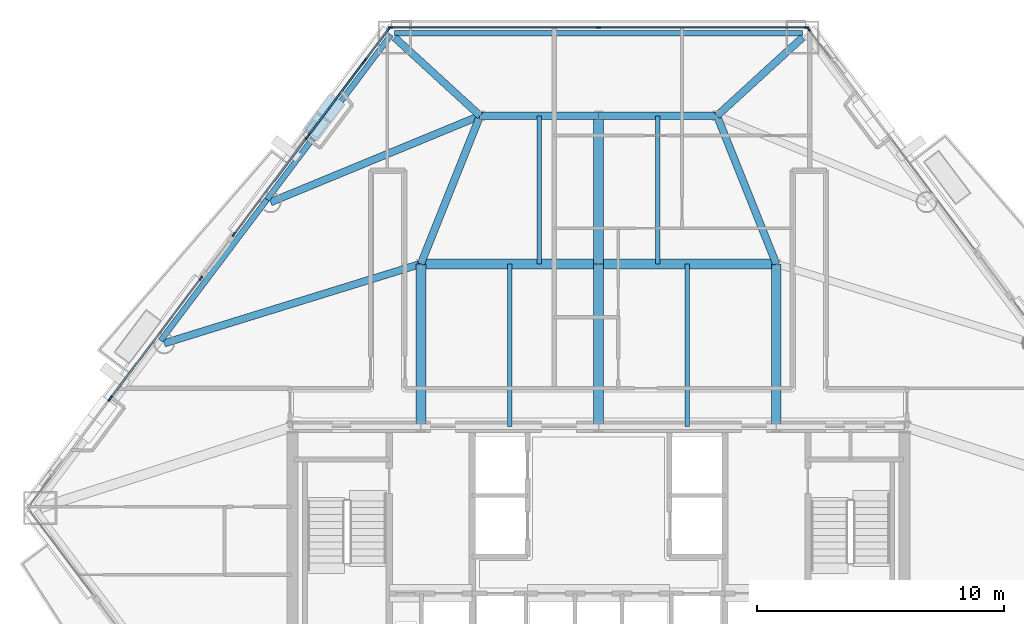
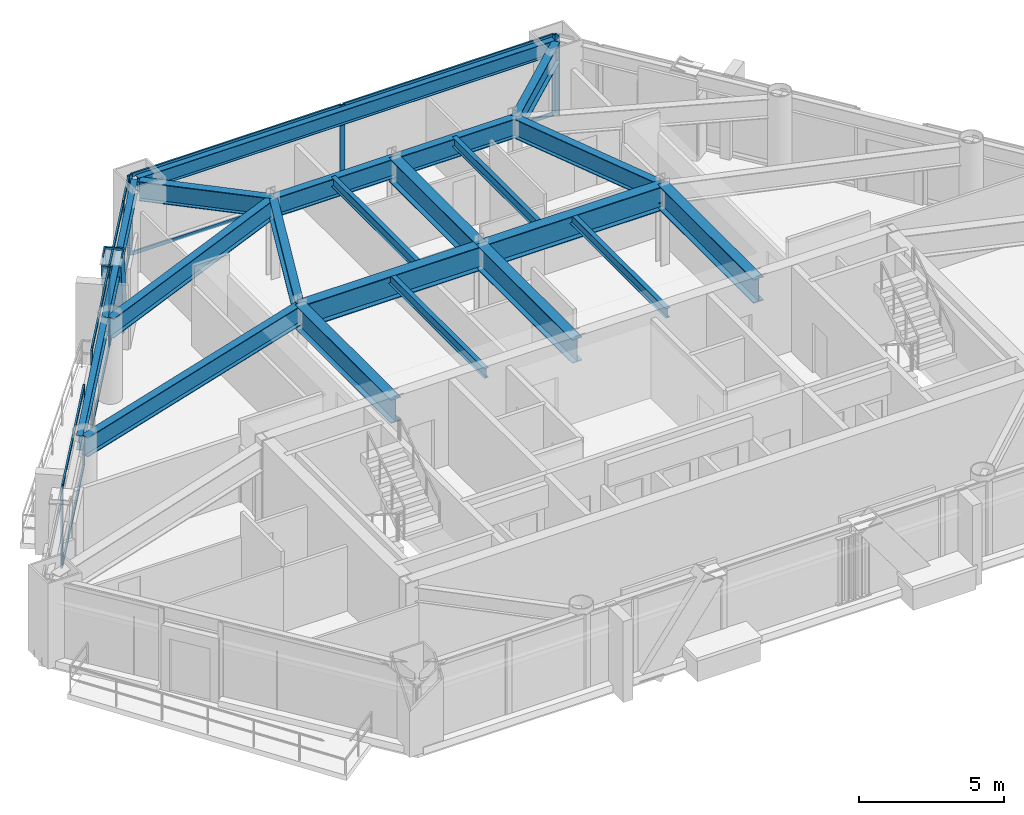
# One storey, part 3 of 10: 26 members, 21 beams, 7 elements without a shape of their own.
"""IFC4 building model written with IfcOpenShell, lengths in metres."""

from ifc_helpers import new_model, si_unit, direction, frame, origin, origin_2d, place, context, subcontext, project, spatial, rectangle, hollow_rectangle, i_section, extrude, material, layer, layer_set, material_profile, profile_set, type_object, element, aggregate, save


model = new_model("IFC4")

# Units and contexts
model_context = context("Model", 3, precision=1e-05, world=origin(), true_north=direction((0.0, 1.0)))
body_context = subcontext(model_context, "Body", "Model", "MODEL_VIEW")
ifc_project = project(units=[si_unit("LENGTHUNIT", "METRE"), si_unit("AREAUNIT", "SQUARE_METRE"), si_unit("VOLUMEUNIT", "CUBIC_METRE"), si_unit("PLANEANGLEUNIT", "RADIAN"), si_unit("MASSUNIT", "GRAM", prefix="KILO")], contexts=[model_context])

# Site, building, storey
site_placement = place(None, origin())
site = spatial("IfcSite", under=ifc_project, at=site_placement, CompositionType="ELEMENT")
building_placement = place(site_placement, origin())
building = spatial("IfcBuilding", under=site, at=building_placement, Name="Talgorran Terracotta Tower", CompositionType="ELEMENT")
storey_placement = place(building_placement, frame((0.0, 0.0, 31.5)))
storey = spatial("IfcBuildingStorey", under=building, at=storey_placement, Name="L07", CompositionType="ELEMENT", Elevation=31.5)

# Beams
ifc_material_1 = material(Name="Steel Grade 350 (350L0)", Category="steel")
ifc_material_profile_1 = material_profile(ifc_material_1, i_section(OverallWidth=0.39990234375, OverallDepth=1.0, WebThickness=0.01611328125, FlangeThickness=0.031005859375, at=origin_2d()), Name="1000WB296")
ifc_profile_set_1 = profile_set([ifc_material_profile_1], Name="Steel Grade 350 (350L0)")
beam_type_1 = type_object("IfcBeamType", Name="BM_1000WB296", PredefinedType="BEAM", material=ifc_profile_set_1)
for number, where, z_axis, x_axis, name in (
    (1, (-7.199951171875, -4.199951171875, 2.85009765625), (0.0, 1.0, 0.0), (-1.0, 0.0, 0.0), "L07 Floor Girder G01"),
    (2, (0.0, -4.199951171875, 2.85009765625), (0.0, 1.0, 0.0), (-1.0, 0.0, 0.0), "L07 Floor Girder G02"),
    (3, (7.199951171875, -4.199951171875, 2.85009765625), (0.0, 1.0, 0.0), (-1.0, 0.0, 0.0), "L07 Floor Girder G03"),
):
    element("IfcBeam", number, at=place(storey_placement, frame(where, z_axis=z_axis, x_axis=x_axis)), inside=storey, type_object=beam_type_1, Name=name, PredefinedType="BEAM", context=body_context, shape_type="SweptSolid", body=[
        extrude(i_section(OverallWidth=0.39990234375, OverallDepth=1.0, WebThickness=0.01611328125, FlangeThickness=0.031005859375, at=origin_2d()), origin(), (0.0, 0.0, 1.0), 6.599853515625),
    ])
for number, where, z_axis, x_axis, name in (
    (4, (-7.199951171875, 2.39990234375, 2.85009765625), (1.0, 0.0, 0.0), (0.0, 1.0, 0.0), "L07 Floor Girder G04"),
    (5, (0.0, 2.39990234375, 2.85009765625), (1.0, 0.0, 0.0), (0.0, 1.0, 0.0), "L07 Floor Girder G05"),
):
    element("IfcBeam", number, at=place(storey_placement, frame(where, z_axis=z_axis, x_axis=x_axis)), inside=storey, type_object=beam_type_1, Name=name, PredefinedType="BEAM", context=body_context, shape_type="SweptSolid", body=[
        extrude(i_section(OverallWidth=0.39990234375, OverallDepth=1.0, WebThickness=0.01611328125, FlangeThickness=0.031005859375, at=origin_2d()), origin(), (0.0, 0.0, 1.0), 7.199951171875),
    ])
beam_1_placement = place(storey_placement, frame((0.0, 2.39990234375, 2.85009765625), z_axis=(0.0, 1.0, 0.0), x_axis=(-1.0, 0.0, 0.0)))
element("IfcBeam", 6, at=beam_1_placement, inside=storey, type_object=beam_type_1, Name="L07 Floor Girder G09", PredefinedType="BEAM", context=body_context, shape_type="SweptSolid", body=[
    extrude(i_section(OverallWidth=0.39990234375, OverallDepth=1.0, WebThickness=0.01611328125, FlangeThickness=0.031005859375, at=origin_2d()), origin(), (0.0, 0.0, 1.0), 6.0),
])
ifc_material_2 = material(Name="Steel S355 (300PLUS)", Category="steel")
ifc_material_profile_2 = material_profile(ifc_material_2, i_section(OverallWidth=0.300048828125, OverallDepth=0.81591796875, WebThickness=0.013916015625, FlangeThickness=0.028076171875, at=origin_2d()), Name="800WB192")
ifc_profile_set_2 = profile_set([ifc_material_profile_2], Name="Steel S355 (300PLUS)")
beam_type_2 = type_object("IfcBeamType", Name="BM_800WB192", PredefinedType="BEAM", material=ifc_profile_set_2)
beam_2_placement = place(storey_placement, frame((-7.199951171875, 2.39990234375, 2.94189453125), z_axis=(-0.955282572472, -0.295694448259, 0.0), x_axis=(0.295694448259, -0.955282572472, 0.0)))
element("IfcBeam", 7, at=beam_2_placement, inside=storey, type_object=beam_type_2, Name="L07 Floor Girder G06", PredefinedType="BEAM", context=body_context, shape_type="SweptSolid", body=[
    extrude(i_section(OverallWidth=0.300048828125, OverallDepth=0.81591796875, WebThickness=0.013916015625, FlangeThickness=0.028076171875, at=origin_2d()), origin(), (0.0, 0.0, 1.0), 10.88623046875),
])
for number, where, z_axis, x_axis, name in (
    (8, (-7.199951171875, 2.39990234375, 2.94189453125), (0.371377648723, 0.928481901832, 0.0), (-0.928481901832, 0.371377648723, 0.0), "L07 Floor Girder G08"),
    (9, (7.199951171875, 2.39990234375, 2.94189453125), (-0.371377648723, 0.928481901832, 0.0), (-0.928481901832, -0.371377648723, 0.0), "L07 Floor Girder G10"),
):
    element("IfcBeam", number, at=place(storey_placement, frame(where, z_axis=z_axis, x_axis=x_axis)), inside=storey, type_object=beam_type_2, Name=name, PredefinedType="BEAM", context=body_context, shape_type="SweptSolid", body=[
        extrude(i_section(OverallWidth=0.300048828125, OverallDepth=0.81591796875, WebThickness=0.013916015625, FlangeThickness=0.028076171875, at=origin_2d()), origin(), (0.0, 0.0, 1.0), 6.462158203125),
    ])
for number, where, z_axis, x_axis, name in (
    (10, (-4.800048828125, 8.39990234375, 2.94189453125), (1.0, 0.0, 0.0), (0.0, 1.0, 0.0), "L07 Floor Girder G11"),
    (11, (0.0, 8.39990234375, 2.94189453125), (1.0, 0.0, 0.0), (0.0, 1.0, 0.0), "L07 Floor Girder G12"),
):
    element("IfcBeam", number, at=place(storey_placement, frame(where, z_axis=z_axis, x_axis=x_axis)), inside=storey, type_object=beam_type_2, Name=name, PredefinedType="BEAM", context=body_context, shape_type="SweptSolid", body=[
        extrude(i_section(OverallWidth=0.300048828125, OverallDepth=0.81591796875, WebThickness=0.013916015625, FlangeThickness=0.028076171875, at=origin_2d()), origin(), (0.0, 0.0, 1.0), 4.800048828125),
    ])
beam_3_placement = place(storey_placement, frame((-4.800048828125, 8.39990234375, 2.94189453125), z_axis=(-0.924495756371, -0.381192335249, 0.0), x_axis=(0.381192335249, -0.924495756371, 0.0)))
element("IfcBeam", 12, at=beam_3_placement, inside=storey, type_object=beam_type_2, Name="L07 Floor Girder G13", PredefinedType="BEAM", context=body_context, shape_type="SweptSolid", body=[
    extrude(i_section(OverallWidth=0.300048828125, OverallDepth=0.81591796875, WebThickness=0.013916015625, FlangeThickness=0.028076171875, at=origin_2d()), origin(), (0.0, 0.0, 1.0), 9.18359375),
])
for number, where, z_axis, x_axis, name in (
    (13, (-4.800048828125, 8.39990234375, 2.94189453125), (-0.737592142267, 0.675246496967, 0.0), (-0.675246496967, -0.737592142267, 0.0), "L07 Floor Girder G15"),
    (14, (4.800048828125, 8.39990234375, 2.94189453125), (0.737592142267, 0.675246496967, 0.0), (-0.675246496967, 0.737592142267, 0.0), "L07 Floor Girder G16"),
):
    element("IfcBeam", number, at=place(storey_placement, frame(where, z_axis=z_axis, x_axis=x_axis)), inside=storey, type_object=beam_type_2, Name=name, PredefinedType="BEAM", context=body_context, shape_type="SweptSolid", body=[
        extrude(i_section(OverallWidth=0.300048828125, OverallDepth=0.81591796875, WebThickness=0.013916015625, FlangeThickness=0.028076171875, at=origin_2d()), origin(), (0.0, 0.0, 1.0), 4.695068359375),
    ])
ifc_material_profile_3 = material_profile(ifc_material_2, i_section(OverallWidth=0.177734375, OverallDepth=0.406494140625, WebThickness=0.0078125, FlangeThickness=0.0126953125, at=origin_2d()), Name="410UB59.7")
ifc_profile_set_3 = profile_set([ifc_material_profile_3], Name="Steel S355 (300PLUS)")
beam_type_3 = type_object("IfcBeamType", Name="BM_JS_410UB60", PredefinedType="JOIST", material=ifc_profile_set_3)
for number, where, z_axis, x_axis, name in (
    (15, (-3.60009765625, -4.199951171875, 3.146728515625), (0.0, 1.0, 0.0), (-1.0, 0.0, 0.0), "L07 Secondary Joist J01"),
    (16, (3.60009765625, -4.199951171875, 3.146728515625), (0.0, 1.0, 0.0), (-1.0, 0.0, 0.0), "L07 Secondary Joist J02"),
):
    element("IfcBeam", number, at=place(storey_placement, frame(where, z_axis=z_axis, x_axis=x_axis)), inside=storey, type_object=beam_type_3, Name=name, PredefinedType="JOIST", context=body_context, shape_type="SweptSolid", body=[
        extrude(i_section(OverallWidth=0.177734375, OverallDepth=0.406494140625, WebThickness=0.0078125, FlangeThickness=0.0126953125, at=origin_2d()), origin(), (0.0, 0.0, 1.0), 6.599853515625),
    ])
for number, where, z_axis, x_axis, name in (
    (17, (-2.39990234375, 2.39990234375, 3.146728515625), (0.0, 1.0, 0.0), (-1.0, 0.0, 0.0), "L07 Secondary Joist J03"),
    (18, (2.39990234375, 2.39990234375, 3.146728515625), (0.0, 1.0, 0.0), (-1.0, 0.0, 0.0), "L07 Secondary Joist J04"),
):
    element("IfcBeam", number, at=place(storey_placement, frame(where, z_axis=z_axis, x_axis=x_axis)), inside=storey, type_object=beam_type_3, Name=name, PredefinedType="JOIST", context=body_context, shape_type="SweptSolid", body=[
        extrude(i_section(OverallWidth=0.177734375, OverallDepth=0.406494140625, WebThickness=0.0078125, FlangeThickness=0.0126953125, at=origin_2d()), origin(), (0.0, 0.0, 1.0), 6.0),
    ])
ifc_material_profile_4 = material_profile(ifc_material_2, i_section(OverallWidth=0.22900390625, OverallDepth=0.611572265625, WebThickness=0.011962890625, FlangeThickness=0.01953125, at=origin_2d()), Name="610UB125")
ifc_profile_set_4 = profile_set([ifc_material_profile_4], Name="Steel S355 (300PLUS)")
beam_type_4 = type_object("IfcBeamType", Name="BM_SP_610UB125", PredefinedType="SPANDREL", material=ifc_profile_set_4)
beam_4_placement = place(storey_placement, frame((8.26318359375, 11.75048828125, 3.044189453125), z_axis=(-1.0, 0.0, 0.0), x_axis=(0.0, -1.0, 0.0)))
element("IfcBeam", 19, at=beam_4_placement, inside=storey, type_object=beam_type_4, Name="L07 Perimeter Spandrel Beam MC5-MC6", PredefinedType="SPANDREL", context=body_context, shape_type="SweptSolid", body=[
    extrude(i_section(OverallWidth=0.22900390625, OverallDepth=0.611572265625, WebThickness=0.011962890625, FlangeThickness=0.01953125, at=origin_2d()), origin(), (0.0, 0.0, 1.0), 16.5263671875),
])
beam_5_placement = place(storey_placement, frame((-8.406982421875, 11.6787109375, 3.044189453125), z_axis=(-0.601803503312, -0.798644190739, 0.0), x_axis=(0.798644190739, -0.601803503312, 0.0)))
element("IfcBeam", 20, at=beam_5_placement, inside=storey, type_object=beam_type_4, Name="L07 Perimeter Spandrel Beam MC6-FC5", PredefinedType="SPANDREL", context=body_context, shape_type="SweptSolid", body=[
    extrude(i_section(OverallWidth=0.22900390625, OverallDepth=0.611572265625, WebThickness=0.011962890625, FlangeThickness=0.01953125, at=origin_2d()), origin(), (0.0, 0.0, 1.0), 8.353271484375),
])
beam_6_placement = place(storey_placement, frame((-13.43408203125, 5.00732421875, 3.044189453125), z_axis=(-0.601837001902, -0.798618947397, 0.0), x_axis=(0.798618947397, -0.601837001902, 0.0)))
element("IfcBeam", 21, at=beam_6_placement, inside=storey, type_object=beam_type_4, Name="L07 Perimeter Spandrel Beam FC5-FC6", PredefinedType="SPANDREL", context=body_context, shape_type="SweptSolid", body=[
    extrude(i_section(OverallWidth=0.22900390625, OverallDepth=0.611572265625, WebThickness=0.011962890625, FlangeThickness=0.01953125, at=origin_2d()), origin(), (0.0, 0.0, 1.0), 7.159912109375),
])

# Member
ifc_material_profile_5 = material_profile(ifc_material_1, hollow_rectangle(XDim=0.699951171875, YDim=0.89990234375, WallThickness=0.050048828125, at=origin_2d()), Name="WBOX900X700X50")
ifc_profile_set_5 = profile_set([ifc_material_profile_5], Name="Steel Grade 350 (350L0)")
member_type_1 = type_object("IfcMemberType", Name="MB_MEGA_900", PredefinedType="BRACE", material=ifc_profile_set_5)
member_1_placement = place(storey_placement, frame((-10.8720703125, 8.70654296875, -0.02490234375), z_axis=(-0.15390274734, -0.204301211286, 0.96673417206), x_axis=(0.798728058872, -0.601692187061, 0.0)))
element("IfcMember", 22, at=member_1_placement, inside=storey, type_object=member_type_1, Name="L07 Exterior Face Mega-Brace MB-1 (NWU)", PredefinedType="BRACE", context=body_context, shape_type="SweptSolid", body=[
    extrude(hollow_rectangle(XDim=0.699951171875, YDim=0.89990234375, WallThickness=0.050048828125, at=origin_2d()), origin(), (0.0, 0.0, 1.0), 3.516845703125),
])

# Curtain wall, member
ifc_material_3 = material(Name="Unitised Low-E Double Glazing", Category="glass")
ifc_layer = layer(ifc_material_3, 0.199951171875, Name="CW_SYS2_RES_LOW")
ifc_layer_set = layer_set([ifc_layer], Name="Unitised Low-E Double Glazing")
curtain_wall_type = type_object("IfcCurtainWallType", Name="CW_SYS2_RES_LOW", PredefinedType="NOTDEFINED", material=ifc_layer_set)
curtain_wall_1_placement = place(storey_placement, origin())
curtain_wall_1 = element("IfcCurtainWall", 23, at=curtain_wall_1_placement, inside=storey, type_object=curtain_wall_type, Name="CW-L07-F41C", PredefinedType="NOTDEFINED")
ifc_material_4 = material(Name="Architectural Aluminium 6063-T6", Category="aluminium")
ifc_material_profile_6 = material_profile(ifc_material_4, rectangle(XDim=0.06494140625, YDim=0.18505859375, at=origin_2d()), Name="CWM65X185")
ifc_profile_set_6 = profile_set([ifc_material_profile_6], Name="Architectural Aluminium 6063-T6")
member_type_2 = type_object("IfcMemberType", Name="MUL_65X185", PredefinedType="MULLION", material=ifc_profile_set_6)
member_2_placement = place(storey_placement, frame((8.50634765625, 11.91259765625, 0.0), z_axis=(0.0, 0.0, 1.0), x_axis=(-0.798648355676, -0.601797976048, 0.0)))
member_2 = element("IfcMember", 24, at=member_2_placement, type_object=member_type_2, Name="CW-L07-41C mullion 2", PredefinedType="MULLION", context=body_context, shape_type="SweptSolid", body=[
    extrude(rectangle(XDim=0.06494140625, YDim=0.18505859375, at=origin_2d()), origin(), (0.0, 0.0, 1.0), 3.35009765625),
])
aggregate(curtain_wall_1, [member_2])

# Curtain wall, members
curtain_wall_2_placement = place(storey_placement, origin())
curtain_wall_2 = element("IfcCurtainWall", 25, at=curtain_wall_2_placement, inside=storey, type_object=curtain_wall_type, Name="CW-L07-F4", PredefinedType="NOTDEFINED")
member_3_placement = place(storey_placement, frame((8.43017578125, 11.970458984375, 0.0), z_axis=(0.0, 0.0, 1.0), x_axis=(0.0, -1.0, 0.0)))
member_3 = element("IfcMember", 26, at=member_3_placement, type_object=member_type_2, Name="CW-L07-4 mullion 1", PredefinedType="MULLION", context=body_context, shape_type="SweptSolid", body=[
    extrude(rectangle(XDim=0.06494140625, YDim=0.18505859375, at=origin_2d()), origin(), (0.0, 0.0, 1.0), 3.35009765625),
])
member_4_placement = place(storey_placement, frame((0.0, 11.970458984375, 0.0), z_axis=(0.0, 0.0, 1.0), x_axis=(0.0, -1.0, 0.0)))
member_4 = element("IfcMember", 27, at=member_4_placement, type_object=member_type_2, Name="CW-L07-4 mullion 2", PredefinedType="MULLION", context=body_context, shape_type="SweptSolid", body=[
    extrude(rectangle(XDim=0.06494140625, YDim=0.18505859375, at=origin_2d()), origin(), (0.0, 0.0, 1.0), 3.35009765625),
])
member_5_placement = place(storey_placement, frame((-8.43017578125, 11.970458984375, 0.0), z_axis=(0.0, 0.0, 1.0), x_axis=(0.0, -1.0, 0.0)))
member_5 = element("IfcMember", 28, at=member_5_placement, type_object=member_type_2, Name="CW-L07-4 mullion 3", PredefinedType="MULLION", context=body_context, shape_type="SweptSolid", body=[
    extrude(rectangle(XDim=0.06494140625, YDim=0.18505859375, at=origin_2d()), origin(), (0.0, 0.0, 1.0), 3.35009765625),
])

curtain_wall_3_placement = place(storey_placement, origin())
curtain_wall_3 = element("IfcCurtainWall", 29, at=curtain_wall_3_placement, inside=storey, type_object=curtain_wall_type, Name="CW-L07-F60", PredefinedType="NOTDEFINED")
member_6_placement = place(storey_placement, frame((-8.50634765625, 11.91259765625, 0.0), z_axis=(0.0, 0.0, 1.0), x_axis=(0.798648355676, -0.601797976048, 0.0)))
member_6 = element("IfcMember", 30, at=member_6_placement, type_object=member_type_2, Name="CW-L07-60 mullion 1", PredefinedType="MULLION", context=body_context, shape_type="SweptSolid", body=[
    extrude(rectangle(XDim=0.06494140625, YDim=0.18505859375, at=origin_2d()), origin(), (0.0, 0.0, 1.0), 3.35009765625),
])
member_7_placement = place(storey_placement, frame((-9.4462890625, 10.6650390625, 0.0), z_axis=(0.0, 0.0, 1.0), x_axis=(0.798648355676, -0.601797976048, 0.0)))
member_7 = element("IfcMember", 31, at=member_7_placement, type_object=member_type_2, Name="CW-L07-60 mullion 2", PredefinedType="MULLION", context=body_context, shape_type="SweptSolid", body=[
    extrude(rectangle(XDim=0.06494140625, YDim=0.18505859375, at=origin_2d()), origin(), (0.0, 0.0, 1.0), 3.35009765625),
])

curtain_wall_4_placement = place(storey_placement, origin())
curtain_wall_4 = element("IfcCurtainWall", 32, at=curtain_wall_4_placement, inside=storey, type_object=curtain_wall_type, Name="CW-L07-F60B", PredefinedType="NOTDEFINED")
member_8_placement = place(storey_placement, frame((-9.491455078125, 10.605224609375, 0.0), z_axis=(0.0, 0.0, 1.0), x_axis=(0.798636044714, -0.601814313624, 0.0)))
member_8 = element("IfcMember", 33, at=member_8_placement, type_object=member_type_2, Name="CW-L07-60B mullion 1", PredefinedType="MULLION", context=body_context, shape_type="SweptSolid", body=[
    extrude(rectangle(XDim=0.06494140625, YDim=0.18505859375, at=origin_2d()), origin(), (0.0, 0.0, 1.0), 3.35009765625),
])
member_9_placement = place(storey_placement, frame((-11.77490234375, 7.574951171875, 0.0), z_axis=(0.0, 0.0, 1.0), x_axis=(0.798636044714, -0.601814313624, 0.0)))
member_9 = element("IfcMember", 34, at=member_9_placement, type_object=member_type_2, Name="CW-L07-60B mullion 2", PredefinedType="MULLION", context=body_context, shape_type="SweptSolid", body=[
    extrude(rectangle(XDim=0.06494140625, YDim=0.18505859375, at=origin_2d()), origin(), (0.0, 0.0, 1.0), 3.35009765625),
])

curtain_wall_5_placement = place(storey_placement, origin())
curtain_wall_5 = element("IfcCurtainWall", 35, at=curtain_wall_5_placement, inside=storey, type_object=curtain_wall_type, Name="CW-L07-F60C", PredefinedType="NOTDEFINED")
member_10_placement = place(storey_placement, frame((-11.820068359375, 7.514892578125, 0.0), z_axis=(0.0, 0.0, 1.0), x_axis=(0.798644404696, -0.601803219374, 0.0)))
member_10 = element("IfcMember", 36, at=member_10_placement, type_object=member_type_2, Name="CW-L07-60C mullion 1", PredefinedType="MULLION", context=body_context, shape_type="SweptSolid", body=[
    extrude(rectangle(XDim=0.06494140625, YDim=0.18505859375, at=origin_2d()), origin(), (0.0, 0.0, 1.0), 3.35009765625),
])
member_11_placement = place(storey_placement, frame((-14.77392578125, 3.5947265625, 0.0), z_axis=(0.0, 0.0, 1.0), x_axis=(0.798644404696, -0.601803219374, 0.0)))
member_11 = element("IfcMember", 37, at=member_11_placement, type_object=member_type_2, Name="CW-L07-60C mullion 2", PredefinedType="MULLION", context=body_context, shape_type="SweptSolid", body=[
    extrude(rectangle(XDim=0.06494140625, YDim=0.18505859375, at=origin_2d()), origin(), (0.0, 0.0, 1.0), 3.35009765625),
])

curtain_wall_6_placement = place(storey_placement, origin())
curtain_wall_6 = element("IfcCurtainWall", 38, at=curtain_wall_6_placement, inside=storey, type_object=curtain_wall_type, Name="CW-L07-F61", PredefinedType="NOTDEFINED")
member_12_placement = place(storey_placement, frame((-16.113037109375, 1.81787109375, 0.0), z_axis=(0.0, 0.0, 1.0), x_axis=(0.798641578125, -0.601806970457, 0.0)))
member_12 = element("IfcMember", 39, at=member_12_placement, type_object=member_type_2, Name="CW-L07-61 mullion 1", PredefinedType="MULLION", context=body_context, shape_type="SweptSolid", body=[
    extrude(rectangle(XDim=0.06494140625, YDim=0.18505859375, at=origin_2d()), origin(), (0.0, 0.0, 1.0), 3.35009765625),
])
member_13_placement = place(storey_placement, frame((-19.763671875, -3.02685546875, 0.0), z_axis=(0.0, 0.0, 1.0), x_axis=(0.798641578125, -0.601806970457, 0.0)))
member_13 = element("IfcMember", 40, at=member_13_placement, type_object=member_type_2, Name="CW-L07-61 mullion 2", PredefinedType="MULLION", context=body_context, shape_type="SweptSolid", body=[
    extrude(rectangle(XDim=0.06494140625, YDim=0.18505859375, at=origin_2d()), origin(), (0.0, 0.0, 1.0), 3.35009765625),
])

# Curtain wall, member
curtain_wall_7_placement = place(storey_placement, origin())
curtain_wall_7 = element("IfcCurtainWall", 41, at=curtain_wall_7_placement, inside=storey, type_object=curtain_wall_type, Name="CW-L07-F61B", PredefinedType="NOTDEFINED")
member_14_placement = place(storey_placement, frame((-19.808837890625, -3.086669921875, 0.0), z_axis=(0.0, 0.0, 1.0), x_axis=(0.798648498469, -0.601797786547, 0.0)))
member_14 = element("IfcMember", 42, at=member_14_placement, type_object=member_type_2, Name="CW-L07-61B mullion 1", PredefinedType="MULLION", context=body_context, shape_type="SweptSolid", body=[
    extrude(rectangle(XDim=0.06494140625, YDim=0.18505859375, at=origin_2d()), origin(), (0.0, 0.0, 1.0), 3.35009765625),
])
aggregate(curtain_wall_7, [member_14])

# Member
ifc_material_profile_7 = material_profile(ifc_material_4, rectangle(XDim=0.06494140625, YDim=0.14990234375, at=origin_2d()), Name="CWT65X150")
ifc_profile_set_7 = profile_set([ifc_material_profile_7], Name="Architectural Aluminium 6063-T6")
member_type_3 = type_object("IfcMemberType", Name="TRN_65X150", PredefinedType="USERDEFINED", material=ifc_profile_set_7)
member_15_placement = place(storey_placement, frame((8.397705078125, 11.970458984375, 0.032470703125), z_axis=(-1.0, 0.0, 0.0), x_axis=(0.0, -1.0, 0.0)))
member_15 = element("IfcMember", 43, at=member_15_placement, type_object=member_type_3, Name="CW-L07-4 transom 1.1", ObjectType="TRANSOM", PredefinedType="USERDEFINED", context=body_context, shape_type="SweptSolid", body=[
    extrude(rectangle(XDim=0.06494140625, YDim=0.14990234375, at=origin_2d()), origin(), (0.0, 0.0, 1.0), 8.365234375),
])

member_16_placement = place(storey_placement, frame((8.397705078125, 11.970458984375, 3.3173828125), z_axis=(-1.0, 0.0, 0.0), x_axis=(0.0, -1.0, 0.0)))
member_16 = element("IfcMember", 44, at=member_16_placement, type_object=member_type_3, Name="CW-L07-4 transom 1.2", ObjectType="TRANSOM", PredefinedType="USERDEFINED", context=body_context, shape_type="SweptSolid", body=[
    extrude(rectangle(XDim=0.06494140625, YDim=0.14990234375, at=origin_2d()), origin(), (0.0, 0.0, 1.0), 8.365234375),
])

member_17_placement = place(storey_placement, frame((-0.032470703125, 11.970458984375, 0.032470703125), z_axis=(-1.0, 0.0, 0.0), x_axis=(0.0, -1.0, 0.0)))
member_17 = element("IfcMember", 45, at=member_17_placement, type_object=member_type_3, Name="CW-L07-4 transom 2.1", ObjectType="TRANSOM", PredefinedType="USERDEFINED", context=body_context, shape_type="SweptSolid", body=[
    extrude(rectangle(XDim=0.06494140625, YDim=0.14990234375, at=origin_2d()), origin(), (0.0, 0.0, 1.0), 8.365234375),
])

member_18_placement = place(storey_placement, frame((-0.032470703125, 11.970458984375, 3.3173828125), z_axis=(-1.0, 0.0, 0.0), x_axis=(0.0, -1.0, 0.0)))
member_18 = element("IfcMember", 46, at=member_18_placement, type_object=member_type_3, Name="CW-L07-4 transom 2.2", ObjectType="TRANSOM", PredefinedType="USERDEFINED", context=body_context, shape_type="SweptSolid", body=[
    extrude(rectangle(XDim=0.06494140625, YDim=0.14990234375, at=origin_2d()), origin(), (0.0, 0.0, 1.0), 8.365234375),
])

aggregate(curtain_wall_2, [member_3, member_4, member_5, member_15, member_16, member_17, member_18])

member_19_placement = place(storey_placement, frame((-8.52587890625, 11.886474609375, 0.032470703125), z_axis=(-0.601798984676, -0.798647595653, 0.0), x_axis=(0.798647595653, -0.601798984676, 0.0)))
member_19 = element("IfcMember", 47, at=member_19_placement, type_object=member_type_3, Name="CW-L07-60 transom 1.1", ObjectType="TRANSOM", PredefinedType="USERDEFINED", context=body_context, shape_type="SweptSolid", body=[
    extrude(rectangle(XDim=0.06494140625, YDim=0.14990234375, at=origin_2d()), origin(), (0.0, 0.0, 1.0), 1.4970703125),
])

member_20_placement = place(storey_placement, frame((-8.52587890625, 11.886474609375, 3.3173828125), z_axis=(-0.601798984676, -0.798647595653, 0.0), x_axis=(0.798647595653, -0.601798984676, 0.0)))
member_20 = element("IfcMember", 48, at=member_20_placement, type_object=member_type_3, Name="CW-L07-60 transom 1.2", ObjectType="TRANSOM", PredefinedType="USERDEFINED", context=body_context, shape_type="SweptSolid", body=[
    extrude(rectangle(XDim=0.06494140625, YDim=0.14990234375, at=origin_2d()), origin(), (0.0, 0.0, 1.0), 1.4970703125),
])

aggregate(curtain_wall_3, [member_6, member_7, member_19, member_20])

member_21_placement = place(storey_placement, frame((-9.510986328125, 10.5791015625, 0.032470703125), z_axis=(-0.601831480699, -0.79862310813, 0.0), x_axis=(0.79862310813, -0.601831480699, 0.0)))
member_21 = element("IfcMember", 49, at=member_21_placement, type_object=member_type_3, Name="CW-L07-60B transom 1.1", ObjectType="TRANSOM", PredefinedType="USERDEFINED", context=body_context, shape_type="SweptSolid", body=[
    extrude(rectangle(XDim=0.06494140625, YDim=0.14990234375, at=origin_2d()), origin(), (0.0, 0.0, 1.0), 3.729248046875),
])

member_22_placement = place(storey_placement, frame((-9.510986328125, 10.5791015625, 3.3173828125), z_axis=(-0.601831480699, -0.79862310813, 0.0), x_axis=(0.79862310813, -0.601831480699, 0.0)))
member_22 = element("IfcMember", 50, at=member_22_placement, type_object=member_type_3, Name="CW-L07-60B transom 1.2", ObjectType="TRANSOM", PredefinedType="USERDEFINED", context=body_context, shape_type="SweptSolid", body=[
    extrude(rectangle(XDim=0.06494140625, YDim=0.14990234375, at=origin_2d()), origin(), (0.0, 0.0, 1.0), 3.729248046875),
])

aggregate(curtain_wall_4, [member_8, member_9, member_21, member_22])

member_23_placement = place(storey_placement, frame((-11.839599609375, 7.489013671875, 0.032470703125), z_axis=(-0.601780818499, -0.798661283954, 0.0), x_axis=(0.798661283954, -0.601780818499, 0.0)))
member_23 = element("IfcMember", 51, at=member_23_placement, type_object=member_type_3, Name="CW-L07-60C transom 1.1", ObjectType="TRANSOM", PredefinedType="USERDEFINED", context=body_context, shape_type="SweptSolid", body=[
    extrude(rectangle(XDim=0.06494140625, YDim=0.14990234375, at=origin_2d()), origin(), (0.0, 0.0, 1.0), 4.843505859375),
])

member_24_placement = place(storey_placement, frame((-11.839599609375, 7.489013671875, 3.3173828125), z_axis=(-0.601780818499, -0.798661283954, 0.0), x_axis=(0.798661283954, -0.601780818499, 0.0)))
member_24 = element("IfcMember", 52, at=member_24_placement, type_object=member_type_3, Name="CW-L07-60C transom 1.2", ObjectType="TRANSOM", PredefinedType="USERDEFINED", context=body_context, shape_type="SweptSolid", body=[
    extrude(rectangle(XDim=0.06494140625, YDim=0.14990234375, at=origin_2d()), origin(), (0.0, 0.0, 1.0), 4.843505859375),
])

aggregate(curtain_wall_5, [member_10, member_11, member_23, member_24])

member_25_placement = place(storey_placement, frame((-16.132568359375, 1.7919921875, 0.032470703125), z_axis=(-0.601814515672, -0.79863589246, 0.0), x_axis=(0.79863589246, -0.601814515672, 0.0)))
member_25 = element("IfcMember", 53, at=member_25_placement, type_object=member_type_3, Name="CW-L07-61 transom 1.1", ObjectType="TRANSOM", PredefinedType="USERDEFINED", context=body_context, shape_type="SweptSolid", body=[
    extrude(rectangle(XDim=0.06494140625, YDim=0.14990234375, at=origin_2d()), origin(), (0.0, 0.0, 1.0), 6.001220703125),
])

member_26_placement = place(storey_placement, frame((-16.132568359375, 1.7919921875, 3.3173828125), z_axis=(-0.601814515672, -0.79863589246, 0.0), x_axis=(0.79863589246, -0.601814515672, 0.0)))
member_26 = element("IfcMember", 54, at=member_26_placement, type_object=member_type_3, Name="CW-L07-61 transom 1.2", ObjectType="TRANSOM", PredefinedType="USERDEFINED", context=body_context, shape_type="SweptSolid", body=[
    extrude(rectangle(XDim=0.06494140625, YDim=0.14990234375, at=origin_2d()), origin(), (0.0, 0.0, 1.0), 6.001220703125),
])

aggregate(curtain_wall_6, [member_12, member_13, member_25, member_26])

save(model, "model.ifc")
